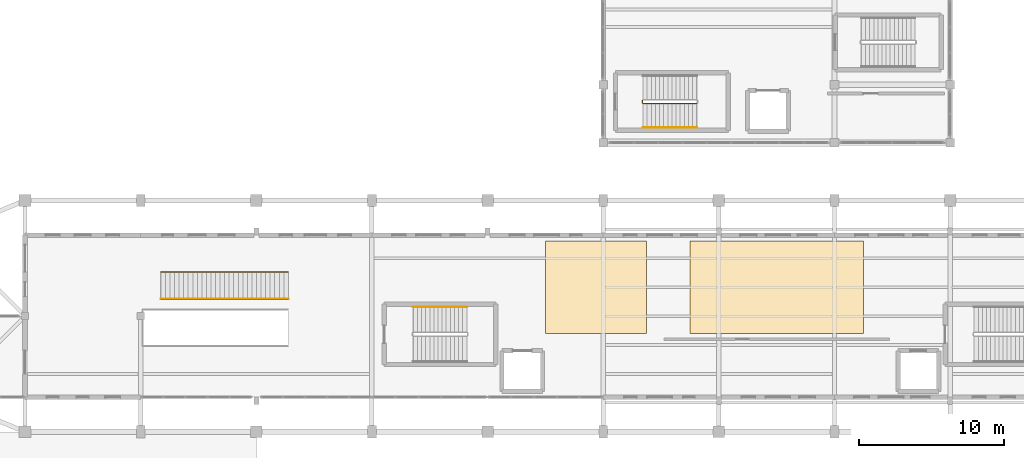
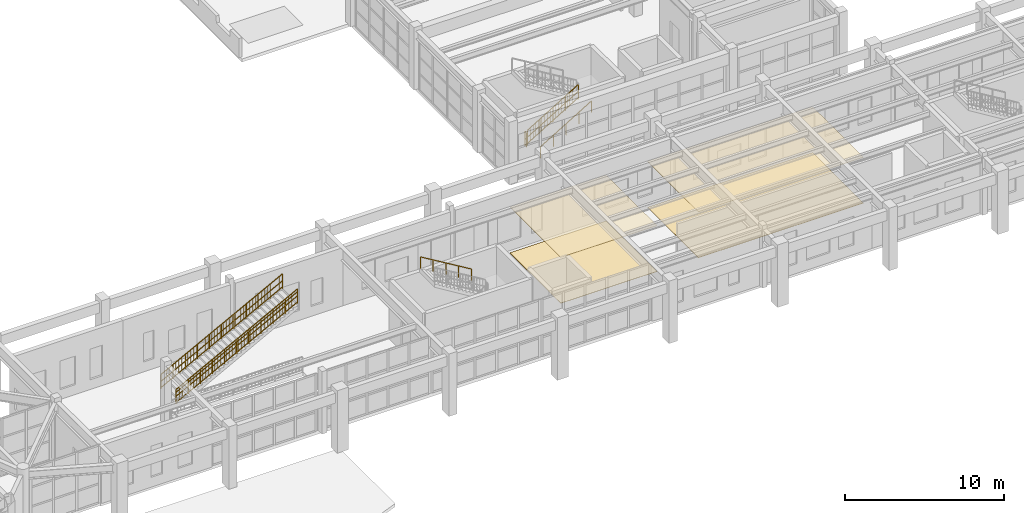
# One storey, part 57 of 59: 7 railings, 4 coverings.
"""IFC4 building model written with IfcOpenShell, lengths in metres."""

from ifc_helpers import new_model, si_unit, direction, frame, origin, origin_2d, place, context, subcontext, project, spatial, polyline, rectangle, outline, extrude, material, layer, layer_set, type_object, element, save


model = new_model("IFC4")

# Units and contexts
model_context = context("Model", 3, precision=1e-05, world=origin(), true_north=direction((0.0, 1.0)))
body_context = subcontext(model_context, "Body", "Model", "MODEL_VIEW")
ifc_project = project(units=[si_unit("LENGTHUNIT", "METRE"), si_unit("AREAUNIT", "SQUARE_METRE"), si_unit("VOLUMEUNIT", "CUBIC_METRE"), si_unit("PLANEANGLEUNIT", "RADIAN"), si_unit("MASSUNIT", "GRAM", prefix="KILO")], contexts=[model_context])

# Site, building, storey
site_placement = place(None, origin())
site = spatial("IfcSite", under=ifc_project, at=site_placement, CompositionType="ELEMENT")
building_placement = place(site_placement, origin())
building = spatial("IfcBuilding", under=site, at=building_placement, Name="Serraluz Foothill Cableway Terminal", CompositionType="ELEMENT")
storey_placement = place(building_placement, frame((0.0, 0.0, 4.800048828125)))
storey = spatial("IfcBuildingStorey", under=building, at=storey_placement, Name="L01", CompositionType="ELEMENT", Elevation=4.800048828125)

# Coverings
ifc_material_1 = material(Name="Perforated acoustic mineral and timber ceiling", Category="wood")
ifc_layer_1 = layer(ifc_material_1, 0.034912109375, Name="Perforated acoustic mineral and timber ceiling", Category="wood")
ifc_layer_set_1 = layer_set([ifc_layer_1], Name="Perforated acoustic mineral and timber ceiling")
covering_type_1 = type_object("IfcCoveringType", Name="TYP-COV-CEIL-35", PredefinedType="CEILING", material=ifc_layer_set_1)
covering_1_placement = place(storey_placement, frame((0.0, 0.0, 3.513916015625)))
element("IfcCovering", 1, at=covering_1_placement, inside=storey, type_object=covering_type_1, Name="Suspended Acoustic Ceiling 06", PredefinedType="CEILING", context=body_context, shape_type="SweptSolid", body=[
    extrude(outline(polyline([(76.0, 69.199951171875), (83.0, 69.199951171875), (83.0, 62.800048828125), (76.0, 62.800048828125), (76.0, 69.199951171875)])), origin(), (0.0, 0.0, 1.0), 0.03515625),
])
covering_2_placement = place(storey_placement, frame((0.0, 0.0, 3.513916015625)))
element("IfcCovering", 2, at=covering_2_placement, inside=storey, type_object=covering_type_1, Name="Suspended Acoustic Ceiling 07", PredefinedType="CEILING", context=body_context, shape_type="SweptSolid", body=[
    extrude(outline(polyline([(88.64990234375, 69.199951171875), (98.0, 69.199951171875), (98.0, 62.800048828125), (86.0, 62.800048828125), (86.0, 69.199951171875), (87.35009765625, 69.199951171875), (87.35009765625, 69.199951171875), (88.64990234375, 69.199951171875), (88.64990234375, 69.199951171875)])), origin(), (0.0, 0.0, 1.0), 0.03515625),
])
ifc_material_2 = material(Name="Honed basalt and terrazzo floor finish", Category="masonry")
ifc_layer_2 = layer(ifc_material_2, 0.02490234375, Name="Honed basalt and terrazzo floor finish", Category="masonry")
ifc_layer_set_2 = layer_set([ifc_layer_2], Name="Honed basalt and terrazzo floor finish")
covering_type_2 = type_object("IfcCoveringType", Name="TYP-COV-FLR-25", PredefinedType="FLOORING", material=ifc_layer_set_2)
covering_3_placement = place(storey_placement, origin())
element("IfcCovering", 3, at=covering_3_placement, inside=storey, type_object=covering_type_2, Name="Terrazzo Concourse Flooring 06", PredefinedType="FLOORING", context=body_context, shape_type="SweptSolid", body=[
    extrude(outline(polyline([(76.0, 62.800048828125), (83.0, 62.800048828125), (83.0, 69.199951171875), (76.0, 69.199951171875), (76.0, 62.800048828125)])), origin(), (0.0, 0.0, 1.0), 0.02490234375),
])
covering_4_placement = place(storey_placement, origin())
element("IfcCovering", 4, at=covering_4_placement, inside=storey, type_object=covering_type_2, Name="Terrazzo Concourse Flooring 07", PredefinedType="FLOORING", context=body_context, shape_type="SweptSolid", body=[
    extrude(outline(polyline([(86.0, 62.800048828125), (98.0, 62.800048828125), (98.0, 69.199951171875), (86.0, 69.199951171875), (86.0, 62.800048828125)])), origin(), (0.0, 0.0, 1.0), 0.02490234375),
])

# Railings
ifc_material_3 = material(Name="Steel ASTM A572 Grade 50", Category="steel")
ifc_layer_3 = layer(ifc_material_3, 0.054931640625, Name="Steel ASTM A572 Grade 50", Category="steel")
ifc_layer_set_3 = layer_set([ifc_layer_3], Name="Steel ASTM A572 Grade 50")
railing_type_1 = type_object("IfcRailingType", Name="TYP-RL-GRD-1150", PredefinedType="GUARDRAIL", material=ifc_layer_set_3)
railing_1_placement = place(storey_placement, frame((82.760009765625, 78.7099609375, 0.17138671875)))
element("IfcRailing", 5, at=railing_1_placement, inside=storey, type_object=railing_type_1, Name="L01 ST-08 stair guard 1", PredefinedType="GUARDRAIL", context=body_context, shape_type="SweptSolid", body=[
    extrude(rectangle(XDim=0.048095703125, YDim=0.048095703125, at=origin_2d()), frame((0.0, 0.0, 1.1259765625), z_axis=(0.856934400257, 0.0, 0.515425487977), x_axis=(0.0, 1.0, 0.0)), (0.0, 0.0, 1.0), 4.32373046875),
    extrude(rectangle(XDim=0.048095703125, YDim=0.048095703125, at=origin_2d()), frame((0.0, 0.0, 0.597900390625), z_axis=(0.856934400257, 0.0, 0.515425487977), x_axis=(0.0, 1.0, 0.0)), (0.0, 0.0, 1.0), 4.32373046875),
    extrude(rectangle(XDim=0.048095703125, YDim=0.048095703125, at=origin_2d()), frame((0.0, 0.0, 0.1201171875), z_axis=(0.856934400257, 0.0, 0.515425487977), x_axis=(0.0, 1.0, 0.0)), (0.0, 0.0, 1.0), 4.32373046875),
    extrude(rectangle(XDim=0.02001953125, YDim=0.02001953125, at=origin_2d()), frame((0.205810546875, 0.0, 0.243896484375)), (0.0, 0.0, 1.0), 0.981689453125),
    extrude(rectangle(XDim=0.02001953125, YDim=0.02001953125, at=origin_2d()), frame((0.41162109375, 0.0, 0.36767578125)), (0.0, 0.0, 1.0), 0.981689453125),
    extrude(rectangle(XDim=0.02001953125, YDim=0.02001953125, at=origin_2d()), frame((0.617431640625, 0.0, 0.491455078125)), (0.0, 0.0, 1.0), 0.981689453125),
    extrude(rectangle(XDim=0.02001953125, YDim=0.02001953125, at=origin_2d()), frame((0.8232421875, 0.0, 0.615234375)), (0.0, 0.0, 1.0), 0.981689453125),
    extrude(rectangle(XDim=0.02001953125, YDim=0.02001953125, at=origin_2d()), frame((1.029296875, 0.0, 0.739013671875)), (0.0, 0.0, 1.0), 0.981689453125),
    extrude(rectangle(XDim=0.02001953125, YDim=0.02001953125, at=origin_2d()), frame((1.235107421875, 0.0, 0.86279296875)), (0.0, 0.0, 1.0), 0.981689453125),
    extrude(rectangle(XDim=0.02001953125, YDim=0.02001953125, at=origin_2d()), frame((1.44091796875, 0.0, 0.986572265625)), (0.0, 0.0, 1.0), 0.981689453125),
    extrude(rectangle(XDim=0.02001953125, YDim=0.02001953125, at=origin_2d()), frame((1.646728515625, 0.0, 1.1103515625)), (0.0, 0.0, 1.0), 0.981689453125),
    extrude(rectangle(XDim=0.02001953125, YDim=0.02001953125, at=origin_2d()), frame((2.058349609375, 0.0, 1.358154296875)), (0.0, 0.0, 1.0), 0.981689453125),
    extrude(rectangle(XDim=0.02001953125, YDim=0.02001953125, at=origin_2d()), frame((2.26416015625, 0.0, 1.48193359375)), (0.0, 0.0, 1.0), 0.981689453125),
    extrude(rectangle(XDim=0.02001953125, YDim=0.02001953125, at=origin_2d()), frame((2.469970703125, 0.0, 1.605712890625)), (0.0, 0.0, 1.0), 0.981689453125),
    extrude(rectangle(XDim=0.02001953125, YDim=0.02001953125, at=origin_2d()), frame((2.67578125, 0.0, 1.7294921875)), (0.0, 0.0, 1.0), 0.981689453125),
    extrude(rectangle(XDim=0.02001953125, YDim=0.02001953125, at=origin_2d()), frame((2.8818359375, 0.0, 1.853271484375)), (0.0, 0.0, 1.0), 0.981689453125),
    extrude(rectangle(XDim=0.02001953125, YDim=0.02001953125, at=origin_2d()), frame((3.087646484375, 0.0, 1.97705078125)), (0.0, 0.0, 1.0), 0.981689453125),
    extrude(rectangle(XDim=0.02001953125, YDim=0.02001953125, at=origin_2d()), frame((3.29345703125, 0.0, 2.100830078125)), (0.0, 0.0, 1.0), 0.981689453125),
    extrude(rectangle(XDim=0.02001953125, YDim=0.02001953125, at=origin_2d()), frame((3.499267578125, 0.0, 2.224609375)), (0.0, 0.0, 1.0), 0.981689453125),
    extrude(rectangle(XDim=0.0439453125, YDim=0.0439453125, at=origin_2d()), origin(), (0.0, 0.0, 1.0), 1.101806640625),
    extrude(rectangle(XDim=0.0439453125, YDim=0.0439453125, at=origin_2d()), frame((0.92626953125, 0.0, 0.55712890625)), (0.0, 0.0, 1.0), 1.101806640625),
    extrude(rectangle(XDim=0.0439453125, YDim=0.0439453125, at=origin_2d()), frame((1.8525390625, 0.0, 1.1142578125)), (0.0, 0.0, 1.0), 1.101806640625),
    extrude(rectangle(XDim=0.0439453125, YDim=0.0439453125, at=origin_2d()), frame((2.77880859375, 0.0, 1.67138671875)), (0.0, 0.0, 1.0), 1.101806640625),
    extrude(rectangle(XDim=0.0439453125, YDim=0.0439453125, at=origin_2d()), frame((3.705078125, 0.0, 2.228515625)), (0.0, 0.0, 1.0), 1.101806640625),
])
railing_2_placement = place(storey_placement, frame((82.7099609375, 78.760009765625, 0.0)))
element("IfcRailing", 6, at=railing_2_placement, inside=storey, type_object=railing_type_1, Name="L01 ST-08 stair guard 4", PredefinedType="GUARDRAIL", context=body_context, shape_type="SweptSolid", body=[
    extrude(rectangle(XDim=0.048095703125, YDim=0.048095703125, at=origin_2d()), frame((0.0, 0.0, 1.1259765625), z_axis=(0.0, 1.0, 0.0), x_axis=(-1.0, 0.0, 0.0)), (0.0, 0.0, 1.0), 0.159912109375),
    extrude(rectangle(XDim=0.048095703125, YDim=0.048095703125, at=origin_2d()), frame((0.0, 0.0, 0.597900390625), z_axis=(0.0, 1.0, 0.0), x_axis=(-1.0, 0.0, 0.0)), (0.0, 0.0, 1.0), 0.159912109375),
    extrude(rectangle(XDim=0.048095703125, YDim=0.048095703125, at=origin_2d()), frame((0.0, 0.0, 0.1201171875), z_axis=(0.0, 1.0, 0.0), x_axis=(-1.0, 0.0, 0.0)), (0.0, 0.0, 1.0), 0.159912109375),
    extrude(rectangle(XDim=0.0439453125, YDim=0.0439453125, at=origin_2d()), origin(), (0.0, 0.0, 1.0), 1.101806640625),
    extrude(rectangle(XDim=0.0439453125, YDim=0.0439453125, at=origin_2d()), frame((0.0, 0.159912109375, 0.0)), (0.0, 0.0, 1.0), 1.101806640625),
])
railing_3_placement = place(storey_placement, frame((49.39990234375, 65.14990234375, 0.16552734375)))
element("IfcRailing", 7, at=railing_3_placement, inside=storey, type_object=railing_type_1, Name="GUARDRAIL ST-F02-L", PredefinedType="GUARDRAIL", context=body_context, shape_type="SweptSolid", body=[
    extrude(rectangle(XDim=0.048095703125, YDim=0.048095703125, at=origin_2d()), frame((0.0, 0.0, 1.1259765625), z_axis=(0.88523321492, 0.0, 0.465147455333), x_axis=(0.0, 1.0, 0.0)), (0.0, 0.0, 1.0), 9.963623046875),
    extrude(rectangle(XDim=0.048095703125, YDim=0.048095703125, at=origin_2d()), frame((0.0, 0.0, 0.597900390625), z_axis=(0.88523321492, 0.0, 0.465147455333), x_axis=(0.0, 1.0, 0.0)), (0.0, 0.0, 1.0), 9.963623046875),
    extrude(rectangle(XDim=0.048095703125, YDim=0.048095703125, at=origin_2d()), frame((0.0, 0.0, 0.1201171875), z_axis=(0.88523321492, 0.0, 0.465147455333), x_axis=(0.0, 1.0, 0.0)), (0.0, 0.0, 1.0), 9.963623046875),
    extrude(rectangle(XDim=0.02001953125, YDim=0.02001953125, at=origin_2d()), frame((0.215087890625, 0.0, 0.233154296875)), (0.0, 0.0, 1.0), 0.981689453125),
    extrude(rectangle(XDim=0.02001953125, YDim=0.02001953125, at=origin_2d()), frame((0.43017578125, 0.0, 0.34619140625)), (0.0, 0.0, 1.0), 0.981689453125),
    extrude(rectangle(XDim=0.02001953125, YDim=0.02001953125, at=origin_2d()), frame((0.645263671875, 0.0, 0.459228515625)), (0.0, 0.0, 1.0), 0.981689453125),
    extrude(rectangle(XDim=0.02001953125, YDim=0.02001953125, at=origin_2d()), frame((1.07568359375, 0.0, 0.685302734375)), (0.0, 0.0, 1.0), 0.981689453125),
    extrude(rectangle(XDim=0.02001953125, YDim=0.02001953125, at=origin_2d()), frame((1.290771484375, 0.0, 0.79833984375)), (0.0, 0.0, 1.0), 0.981689453125),
    extrude(rectangle(XDim=0.02001953125, YDim=0.02001953125, at=origin_2d()), frame((1.505859375, 0.0, 0.911376953125)), (0.0, 0.0, 1.0), 0.981689453125),
    extrude(rectangle(XDim=0.02001953125, YDim=0.02001953125, at=origin_2d()), frame((1.93603515625, 0.0, 1.137451171875)), (0.0, 0.0, 1.0), 0.981689453125),
    extrude(rectangle(XDim=0.02001953125, YDim=0.02001953125, at=origin_2d()), frame((2.151123046875, 0.0, 1.25048828125)), (0.0, 0.0, 1.0), 0.981689453125),
    extrude(rectangle(XDim=0.02001953125, YDim=0.02001953125, at=origin_2d()), frame((2.366455078125, 0.0, 1.363525390625)), (0.0, 0.0, 1.0), 0.981689453125),
    extrude(rectangle(XDim=0.02001953125, YDim=0.02001953125, at=origin_2d()), frame((2.58154296875, 0.0, 1.4765625)), (0.0, 0.0, 1.0), 0.981689453125),
    extrude(rectangle(XDim=0.02001953125, YDim=0.02001953125, at=origin_2d()), frame((2.796630859375, 0.0, 1.589599609375)), (0.0, 0.0, 1.0), 0.981689453125),
    extrude(rectangle(XDim=0.02001953125, YDim=0.02001953125, at=origin_2d()), frame((3.01171875, 0.0, 1.70263671875)), (0.0, 0.0, 1.0), 0.981689453125),
    extrude(rectangle(XDim=0.02001953125, YDim=0.02001953125, at=origin_2d()), frame((3.226806640625, 0.0, 1.815673828125)), (0.0, 0.0, 1.0), 0.981689453125),
    extrude(rectangle(XDim=0.02001953125, YDim=0.02001953125, at=origin_2d()), frame((3.44189453125, 0.0, 1.9287109375)), (0.0, 0.0, 1.0), 0.981689453125),
    extrude(rectangle(XDim=0.02001953125, YDim=0.02001953125, at=origin_2d()), frame((3.656982421875, 0.0, 2.041748046875)), (0.0, 0.0, 1.0), 0.981689453125),
    extrude(rectangle(XDim=0.02001953125, YDim=0.02001953125, at=origin_2d()), frame((3.872314453125, 0.0, 2.15478515625)), (0.0, 0.0, 1.0), 0.981689453125),
    extrude(rectangle(XDim=0.02001953125, YDim=0.02001953125, at=origin_2d()), frame((4.08740234375, 0.0, 2.267822265625)), (0.0, 0.0, 1.0), 0.981689453125),
    extrude(rectangle(XDim=0.02001953125, YDim=0.02001953125, at=origin_2d()), frame((4.302490234375, 0.0, 2.380859375)), (0.0, 0.0, 1.0), 0.981689453125),
    extrude(rectangle(XDim=0.02001953125, YDim=0.02001953125, at=origin_2d()), frame((4.517578125, 0.0, 2.493896484375)), (0.0, 0.0, 1.0), 0.981689453125),
    extrude(rectangle(XDim=0.02001953125, YDim=0.02001953125, at=origin_2d()), frame((4.732666015625, 0.0, 2.60693359375)), (0.0, 0.0, 1.0), 0.981689453125),
    extrude(rectangle(XDim=0.02001953125, YDim=0.02001953125, at=origin_2d()), frame((4.94775390625, 0.0, 2.719970703125)), (0.0, 0.0, 1.0), 0.981689453125),
    extrude(rectangle(XDim=0.02001953125, YDim=0.02001953125, at=origin_2d()), frame((5.1630859375, 0.0, 2.8330078125)), (0.0, 0.0, 1.0), 0.981689453125),
    extrude(rectangle(XDim=0.02001953125, YDim=0.02001953125, at=origin_2d()), frame((5.378173828125, 0.0, 2.946044921875)), (0.0, 0.0, 1.0), 0.981689453125),
    extrude(rectangle(XDim=0.02001953125, YDim=0.02001953125, at=origin_2d()), frame((5.59326171875, 0.0, 3.05908203125)), (0.0, 0.0, 1.0), 0.981689453125),
    extrude(rectangle(XDim=0.02001953125, YDim=0.02001953125, at=origin_2d()), frame((5.808349609375, 0.0, 3.172119140625)), (0.0, 0.0, 1.0), 0.981689453125),
    extrude(rectangle(XDim=0.02001953125, YDim=0.02001953125, at=origin_2d()), frame((6.0234375, 0.0, 3.28515625)), (0.0, 0.0, 1.0), 0.981689453125),
    extrude(rectangle(XDim=0.02001953125, YDim=0.02001953125, at=origin_2d()), frame((6.238525390625, 0.0, 3.398193359375)), (0.0, 0.0, 1.0), 0.981689453125),
    extrude(rectangle(XDim=0.02001953125, YDim=0.02001953125, at=origin_2d()), frame((6.45361328125, 0.0, 3.51123046875)), (0.0, 0.0, 1.0), 0.981689453125),
    extrude(rectangle(XDim=0.02001953125, YDim=0.02001953125, at=origin_2d()), frame((6.6689453125, 0.0, 3.624267578125)), (0.0, 0.0, 1.0), 0.981689453125),
    extrude(rectangle(XDim=0.02001953125, YDim=0.02001953125, at=origin_2d()), frame((6.884033203125, 0.0, 3.7373046875)), (0.0, 0.0, 1.0), 0.981689453125),
    extrude(rectangle(XDim=0.02001953125, YDim=0.02001953125, at=origin_2d()), frame((7.314208984375, 0.0, 3.96337890625)), (0.0, 0.0, 1.0), 0.981689453125),
    extrude(rectangle(XDim=0.02001953125, YDim=0.02001953125, at=origin_2d()), frame((7.529296875, 0.0, 4.076416015625)), (0.0, 0.0, 1.0), 0.981689453125),
    extrude(rectangle(XDim=0.02001953125, YDim=0.02001953125, at=origin_2d()), frame((7.744384765625, 0.0, 4.189453125)), (0.0, 0.0, 1.0), 0.981689453125),
    extrude(rectangle(XDim=0.02001953125, YDim=0.02001953125, at=origin_2d()), frame((8.1748046875, 0.0, 4.41552734375)), (0.0, 0.0, 1.0), 0.981689453125),
    extrude(rectangle(XDim=0.02001953125, YDim=0.02001953125, at=origin_2d()), frame((8.389892578125, 0.0, 4.528564453125)), (0.0, 0.0, 1.0), 0.981689453125),
    extrude(rectangle(XDim=0.02001953125, YDim=0.02001953125, at=origin_2d()), frame((8.60498046875, 0.0, 4.6416015625)), (0.0, 0.0, 1.0), 0.981689453125),
    extrude(rectangle(XDim=0.0439453125, YDim=0.0439453125, at=origin_2d()), origin(), (0.0, 0.0, 1.0), 1.101806640625),
    extrude(rectangle(XDim=0.0439453125, YDim=0.0439453125, at=origin_2d()), frame((0.882080078125, 0.0, 0.46337890625)), (0.0, 0.0, 1.0), 1.101806640625),
    extrude(rectangle(XDim=0.0439453125, YDim=0.0439453125, at=origin_2d()), frame((1.763916015625, 0.0, 0.927001953125)), (0.0, 0.0, 1.0), 1.101806640625),
    extrude(rectangle(XDim=0.0439453125, YDim=0.0439453125, at=origin_2d()), frame((2.64599609375, 0.0, 1.390380859375)), (0.0, 0.0, 1.0), 1.101806640625),
    extrude(rectangle(XDim=0.0439453125, YDim=0.0439453125, at=origin_2d()), frame((3.528076171875, 0.0, 1.853759765625)), (0.0, 0.0, 1.0), 1.101806640625),
    extrude(rectangle(XDim=0.0439453125, YDim=0.0439453125, at=origin_2d()), frame((4.41015625, 0.0, 2.3173828125)), (0.0, 0.0, 1.0), 1.101806640625),
    extrude(rectangle(XDim=0.0439453125, YDim=0.0439453125, at=origin_2d()), frame((5.2919921875, 0.0, 2.78076171875)), (0.0, 0.0, 1.0), 1.101806640625),
    extrude(rectangle(XDim=0.0439453125, YDim=0.0439453125, at=origin_2d()), frame((6.174072265625, 0.0, 3.244140625)), (0.0, 0.0, 1.0), 1.101806640625),
    extrude(rectangle(XDim=0.0439453125, YDim=0.0439453125, at=origin_2d()), frame((7.05615234375, 0.0, 3.70751953125)), (0.0, 0.0, 1.0), 1.101806640625),
    extrude(rectangle(XDim=0.0439453125, YDim=0.0439453125, at=origin_2d()), frame((7.93798828125, 0.0, 4.171142578125)), (0.0, 0.0, 1.0), 1.101806640625),
    extrude(rectangle(XDim=0.0439453125, YDim=0.0439453125, at=origin_2d()), frame((8.820068359375, 0.0, 4.634521484375)), (0.0, 0.0, 1.0), 1.101806640625),
])
railing_4_placement = place(storey_placement, frame((49.39990234375, 67.050048828125, 0.16552734375)))
element("IfcRailing", 8, at=railing_4_placement, inside=storey, type_object=railing_type_1, Name="GUARDRAIL ST-F02-R", PredefinedType="GUARDRAIL", context=body_context, shape_type="SweptSolid", body=[
    extrude(rectangle(XDim=0.048095703125, YDim=0.048095703125, at=origin_2d()), frame((0.0, 0.0, 1.1259765625), z_axis=(0.88523321492, 0.0, 0.465147455333), x_axis=(0.0, 1.0, 0.0)), (0.0, 0.0, 1.0), 9.963623046875),
    extrude(rectangle(XDim=0.048095703125, YDim=0.048095703125, at=origin_2d()), frame((0.0, 0.0, 0.597900390625), z_axis=(0.88523321492, 0.0, 0.465147455333), x_axis=(0.0, 1.0, 0.0)), (0.0, 0.0, 1.0), 9.963623046875),
    extrude(rectangle(XDim=0.048095703125, YDim=0.048095703125, at=origin_2d()), frame((0.0, 0.0, 0.1201171875), z_axis=(0.88523321492, 0.0, 0.465147455333), x_axis=(0.0, 1.0, 0.0)), (0.0, 0.0, 1.0), 9.963623046875),
    extrude(rectangle(XDim=0.02001953125, YDim=0.02001953125, at=origin_2d()), frame((0.215087890625, 0.0, 0.233154296875)), (0.0, 0.0, 1.0), 0.981689453125),
    extrude(rectangle(XDim=0.02001953125, YDim=0.02001953125, at=origin_2d()), frame((0.43017578125, 0.0, 0.34619140625)), (0.0, 0.0, 1.0), 0.981689453125),
    extrude(rectangle(XDim=0.02001953125, YDim=0.02001953125, at=origin_2d()), frame((0.645263671875, 0.0, 0.459228515625)), (0.0, 0.0, 1.0), 0.981689453125),
    extrude(rectangle(XDim=0.02001953125, YDim=0.02001953125, at=origin_2d()), frame((1.07568359375, 0.0, 0.685302734375)), (0.0, 0.0, 1.0), 0.981689453125),
    extrude(rectangle(XDim=0.02001953125, YDim=0.02001953125, at=origin_2d()), frame((1.290771484375, 0.0, 0.79833984375)), (0.0, 0.0, 1.0), 0.981689453125),
    extrude(rectangle(XDim=0.02001953125, YDim=0.02001953125, at=origin_2d()), frame((1.505859375, 0.0, 0.911376953125)), (0.0, 0.0, 1.0), 0.981689453125),
    extrude(rectangle(XDim=0.02001953125, YDim=0.02001953125, at=origin_2d()), frame((1.93603515625, 0.0, 1.137451171875)), (0.0, 0.0, 1.0), 0.981689453125),
    extrude(rectangle(XDim=0.02001953125, YDim=0.02001953125, at=origin_2d()), frame((2.151123046875, 0.0, 1.25048828125)), (0.0, 0.0, 1.0), 0.981689453125),
    extrude(rectangle(XDim=0.02001953125, YDim=0.02001953125, at=origin_2d()), frame((2.366455078125, 0.0, 1.363525390625)), (0.0, 0.0, 1.0), 0.981689453125),
    extrude(rectangle(XDim=0.02001953125, YDim=0.02001953125, at=origin_2d()), frame((2.58154296875, 0.0, 1.4765625)), (0.0, 0.0, 1.0), 0.981689453125),
    extrude(rectangle(XDim=0.02001953125, YDim=0.02001953125, at=origin_2d()), frame((2.796630859375, 0.0, 1.589599609375)), (0.0, 0.0, 1.0), 0.981689453125),
    extrude(rectangle(XDim=0.02001953125, YDim=0.02001953125, at=origin_2d()), frame((3.01171875, 0.0, 1.70263671875)), (0.0, 0.0, 1.0), 0.981689453125),
    extrude(rectangle(XDim=0.02001953125, YDim=0.02001953125, at=origin_2d()), frame((3.226806640625, 0.0, 1.815673828125)), (0.0, 0.0, 1.0), 0.981689453125),
    extrude(rectangle(XDim=0.02001953125, YDim=0.02001953125, at=origin_2d()), frame((3.44189453125, 0.0, 1.9287109375)), (0.0, 0.0, 1.0), 0.981689453125),
    extrude(rectangle(XDim=0.02001953125, YDim=0.02001953125, at=origin_2d()), frame((3.656982421875, 0.0, 2.041748046875)), (0.0, 0.0, 1.0), 0.981689453125),
    extrude(rectangle(XDim=0.02001953125, YDim=0.02001953125, at=origin_2d()), frame((3.872314453125, 0.0, 2.15478515625)), (0.0, 0.0, 1.0), 0.981689453125),
    extrude(rectangle(XDim=0.02001953125, YDim=0.02001953125, at=origin_2d()), frame((4.08740234375, 0.0, 2.267822265625)), (0.0, 0.0, 1.0), 0.981689453125),
    extrude(rectangle(XDim=0.02001953125, YDim=0.02001953125, at=origin_2d()), frame((4.302490234375, 0.0, 2.380859375)), (0.0, 0.0, 1.0), 0.981689453125),
    extrude(rectangle(XDim=0.02001953125, YDim=0.02001953125, at=origin_2d()), frame((4.517578125, 0.0, 2.493896484375)), (0.0, 0.0, 1.0), 0.981689453125),
    extrude(rectangle(XDim=0.02001953125, YDim=0.02001953125, at=origin_2d()), frame((4.732666015625, 0.0, 2.60693359375)), (0.0, 0.0, 1.0), 0.981689453125),
    extrude(rectangle(XDim=0.02001953125, YDim=0.02001953125, at=origin_2d()), frame((4.94775390625, 0.0, 2.719970703125)), (0.0, 0.0, 1.0), 0.981689453125),
    extrude(rectangle(XDim=0.02001953125, YDim=0.02001953125, at=origin_2d()), frame((5.1630859375, 0.0, 2.8330078125)), (0.0, 0.0, 1.0), 0.981689453125),
    extrude(rectangle(XDim=0.02001953125, YDim=0.02001953125, at=origin_2d()), frame((5.378173828125, 0.0, 2.946044921875)), (0.0, 0.0, 1.0), 0.981689453125),
    extrude(rectangle(XDim=0.02001953125, YDim=0.02001953125, at=origin_2d()), frame((5.59326171875, 0.0, 3.05908203125)), (0.0, 0.0, 1.0), 0.981689453125),
    extrude(rectangle(XDim=0.02001953125, YDim=0.02001953125, at=origin_2d()), frame((5.808349609375, 0.0, 3.172119140625)), (0.0, 0.0, 1.0), 0.981689453125),
    extrude(rectangle(XDim=0.02001953125, YDim=0.02001953125, at=origin_2d()), frame((6.0234375, 0.0, 3.28515625)), (0.0, 0.0, 1.0), 0.981689453125),
    extrude(rectangle(XDim=0.02001953125, YDim=0.02001953125, at=origin_2d()), frame((6.238525390625, 0.0, 3.398193359375)), (0.0, 0.0, 1.0), 0.981689453125),
    extrude(rectangle(XDim=0.02001953125, YDim=0.02001953125, at=origin_2d()), frame((6.45361328125, 0.0, 3.51123046875)), (0.0, 0.0, 1.0), 0.981689453125),
    extrude(rectangle(XDim=0.02001953125, YDim=0.02001953125, at=origin_2d()), frame((6.6689453125, 0.0, 3.624267578125)), (0.0, 0.0, 1.0), 0.981689453125),
    extrude(rectangle(XDim=0.02001953125, YDim=0.02001953125, at=origin_2d()), frame((6.884033203125, 0.0, 3.7373046875)), (0.0, 0.0, 1.0), 0.981689453125),
    extrude(rectangle(XDim=0.02001953125, YDim=0.02001953125, at=origin_2d()), frame((7.314208984375, 0.0, 3.96337890625)), (0.0, 0.0, 1.0), 0.981689453125),
    extrude(rectangle(XDim=0.02001953125, YDim=0.02001953125, at=origin_2d()), frame((7.529296875, 0.0, 4.076416015625)), (0.0, 0.0, 1.0), 0.981689453125),
    extrude(rectangle(XDim=0.02001953125, YDim=0.02001953125, at=origin_2d()), frame((7.744384765625, 0.0, 4.189453125)), (0.0, 0.0, 1.0), 0.981689453125),
    extrude(rectangle(XDim=0.02001953125, YDim=0.02001953125, at=origin_2d()), frame((8.1748046875, 0.0, 4.41552734375)), (0.0, 0.0, 1.0), 0.981689453125),
    extrude(rectangle(XDim=0.02001953125, YDim=0.02001953125, at=origin_2d()), frame((8.389892578125, 0.0, 4.528564453125)), (0.0, 0.0, 1.0), 0.981689453125),
    extrude(rectangle(XDim=0.02001953125, YDim=0.02001953125, at=origin_2d()), frame((8.60498046875, 0.0, 4.6416015625)), (0.0, 0.0, 1.0), 0.981689453125),
    extrude(rectangle(XDim=0.0439453125, YDim=0.0439453125, at=origin_2d()), origin(), (0.0, 0.0, 1.0), 1.101806640625),
    extrude(rectangle(XDim=0.0439453125, YDim=0.0439453125, at=origin_2d()), frame((0.882080078125, 0.0, 0.46337890625)), (0.0, 0.0, 1.0), 1.101806640625),
    extrude(rectangle(XDim=0.0439453125, YDim=0.0439453125, at=origin_2d()), frame((1.763916015625, 0.0, 0.927001953125)), (0.0, 0.0, 1.0), 1.101806640625),
    extrude(rectangle(XDim=0.0439453125, YDim=0.0439453125, at=origin_2d()), frame((2.64599609375, 0.0, 1.390380859375)), (0.0, 0.0, 1.0), 1.101806640625),
    extrude(rectangle(XDim=0.0439453125, YDim=0.0439453125, at=origin_2d()), frame((3.528076171875, 0.0, 1.853759765625)), (0.0, 0.0, 1.0), 1.101806640625),
    extrude(rectangle(XDim=0.0439453125, YDim=0.0439453125, at=origin_2d()), frame((4.41015625, 0.0, 2.3173828125)), (0.0, 0.0, 1.0), 1.101806640625),
    extrude(rectangle(XDim=0.0439453125, YDim=0.0439453125, at=origin_2d()), frame((5.2919921875, 0.0, 2.78076171875)), (0.0, 0.0, 1.0), 1.101806640625),
    extrude(rectangle(XDim=0.0439453125, YDim=0.0439453125, at=origin_2d()), frame((6.174072265625, 0.0, 3.244140625)), (0.0, 0.0, 1.0), 1.101806640625),
    extrude(rectangle(XDim=0.0439453125, YDim=0.0439453125, at=origin_2d()), frame((7.05615234375, 0.0, 3.70751953125)), (0.0, 0.0, 1.0), 1.101806640625),
    extrude(rectangle(XDim=0.0439453125, YDim=0.0439453125, at=origin_2d()), frame((7.93798828125, 0.0, 4.171142578125)), (0.0, 0.0, 1.0), 1.101806640625),
    extrude(rectangle(XDim=0.0439453125, YDim=0.0439453125, at=origin_2d()), frame((8.820068359375, 0.0, 4.634521484375)), (0.0, 0.0, 1.0), 1.101806640625),
])
ifc_material_4 = material(Name="Architectural bronze alloy C28000", Category="aluminium")
ifc_layer_4 = layer(ifc_material_4, 0.048095703125, Name="Architectural bronze alloy C28000", Category="aluminium")
ifc_layer_set_4 = layer_set([ifc_layer_4], Name="Architectural bronze alloy C28000")
railing_type_2 = type_object("IfcRailingType", Name="TYP-RL-HND-920", PredefinedType="HANDRAIL", material=ifc_layer_set_4)
railing_5_placement = place(storey_placement, frame((70.56494140625, 64.6298828125, 2.5712890625)))
element("IfcRailing", 9, at=railing_5_placement, inside=storey, type_object=railing_type_2, Name="L01 ST-03 stair handrail 2", PredefinedType="HANDRAIL", context=body_context, shape_type="SweptSolid", body=[
    extrude(rectangle(XDim=0.048095703125, YDim=0.048095703125, at=origin_2d()), frame((0.0, 0.0, 0.8759765625), z_axis=(-0.856894455432, 0.0, 0.515491893485), x_axis=(0.0, -1.0, 0.0)), (0.0, 0.0, 1.0), 4.323486328125),
    extrude(rectangle(XDim=0.0439453125, YDim=0.0439453125, at=origin_2d()), origin(), (0.0, 0.0, 1.0), 0.851806640625),
    extrude(rectangle(XDim=0.0439453125, YDim=0.0439453125, at=origin_2d()), frame((-0.92626953125, 0.0, 0.55712890625)), (0.0, 0.0, 1.0), 0.851806640625),
    extrude(rectangle(XDim=0.0439453125, YDim=0.0439453125, at=origin_2d()), frame((-1.8525390625, 0.0, 1.1142578125)), (0.0, 0.0, 1.0), 0.851806640625),
    extrude(rectangle(XDim=0.0439453125, YDim=0.0439453125, at=origin_2d()), frame((-2.778564453125, 0.0, 1.671630859375)), (0.0, 0.0, 1.0), 0.851806640625),
    extrude(rectangle(XDim=0.0439453125, YDim=0.0439453125, at=origin_2d()), frame((-3.704833984375, 0.0, 2.228759765625)), (0.0, 0.0, 1.0), 0.851806640625),
])
railing_6_placement = place(storey_placement, frame((82.760009765625, 77.050048828125, 0.17138671875)))
element("IfcRailing", 10, at=railing_6_placement, inside=storey, type_object=railing_type_2, Name="L01 ST-08 stair handrail 1", PredefinedType="HANDRAIL", context=body_context, shape_type="SweptSolid", body=[
    extrude(rectangle(XDim=0.048095703125, YDim=0.048095703125, at=origin_2d()), frame((0.0, 0.0, 0.8759765625), z_axis=(0.856934400257, 0.0, 0.515425487977), x_axis=(0.0, 1.0, 0.0)), (0.0, 0.0, 1.0), 4.32373046875),
    extrude(rectangle(XDim=0.0439453125, YDim=0.0439453125, at=origin_2d()), origin(), (0.0, 0.0, 1.0), 0.851806640625),
    extrude(rectangle(XDim=0.0439453125, YDim=0.0439453125, at=origin_2d()), frame((0.92626953125, 0.0, 0.55712890625)), (0.0, 0.0, 1.0), 0.851806640625),
    extrude(rectangle(XDim=0.0439453125, YDim=0.0439453125, at=origin_2d()), frame((1.8525390625, 0.0, 1.1142578125)), (0.0, 0.0, 1.0), 0.851806640625),
    extrude(rectangle(XDim=0.0439453125, YDim=0.0439453125, at=origin_2d()), frame((2.77880859375, 0.0, 1.67138671875)), (0.0, 0.0, 1.0), 0.851806640625),
    extrude(rectangle(XDim=0.0439453125, YDim=0.0439453125, at=origin_2d()), frame((3.705078125, 0.0, 2.228515625)), (0.0, 0.0, 1.0), 0.851806640625),
])
railing_7_placement = place(storey_placement, frame((49.39990234375, 65.179931640625, 0.16552734375)))
element("IfcRailing", 11, at=railing_7_placement, inside=storey, type_object=railing_type_2, Name="HANDRAIL ST-F02", PredefinedType="HANDRAIL", context=body_context, shape_type="SweptSolid", body=[
    extrude(rectangle(XDim=0.048095703125, YDim=0.048095703125, at=origin_2d()), frame((0.0, 0.0, 0.8759765625), z_axis=(0.88523321492, 0.0, 0.465147455333), x_axis=(0.0, 1.0, 0.0)), (0.0, 0.0, 1.0), 9.963623046875),
    extrude(rectangle(XDim=0.0439453125, YDim=0.0439453125, at=origin_2d()), origin(), (0.0, 0.0, 1.0), 0.851806640625),
    extrude(rectangle(XDim=0.0439453125, YDim=0.0439453125, at=origin_2d()), frame((0.882080078125, 0.0, 0.46337890625)), (0.0, 0.0, 1.0), 0.851806640625),
    extrude(rectangle(XDim=0.0439453125, YDim=0.0439453125, at=origin_2d()), frame((1.763916015625, 0.0, 0.927001953125)), (0.0, 0.0, 1.0), 0.851806640625),
    extrude(rectangle(XDim=0.0439453125, YDim=0.0439453125, at=origin_2d()), frame((2.64599609375, 0.0, 1.390380859375)), (0.0, 0.0, 1.0), 0.851806640625),
    extrude(rectangle(XDim=0.0439453125, YDim=0.0439453125, at=origin_2d()), frame((3.528076171875, 0.0, 1.853759765625)), (0.0, 0.0, 1.0), 0.851806640625),
    extrude(rectangle(XDim=0.0439453125, YDim=0.0439453125, at=origin_2d()), frame((4.41015625, 0.0, 2.3173828125)), (0.0, 0.0, 1.0), 0.851806640625),
    extrude(rectangle(XDim=0.0439453125, YDim=0.0439453125, at=origin_2d()), frame((5.2919921875, 0.0, 2.78076171875)), (0.0, 0.0, 1.0), 0.851806640625),
    extrude(rectangle(XDim=0.0439453125, YDim=0.0439453125, at=origin_2d()), frame((6.174072265625, 0.0, 3.244140625)), (0.0, 0.0, 1.0), 0.851806640625),
    extrude(rectangle(XDim=0.0439453125, YDim=0.0439453125, at=origin_2d()), frame((7.05615234375, 0.0, 3.70751953125)), (0.0, 0.0, 1.0), 0.851806640625),
    extrude(rectangle(XDim=0.0439453125, YDim=0.0439453125, at=origin_2d()), frame((7.93798828125, 0.0, 4.171142578125)), (0.0, 0.0, 1.0), 0.851806640625),
    extrude(rectangle(XDim=0.0439453125, YDim=0.0439453125, at=origin_2d()), frame((8.820068359375, 0.0, 4.634521484375)), (0.0, 0.0, 1.0), 0.851806640625),
])

save(model, "model.ifc")
